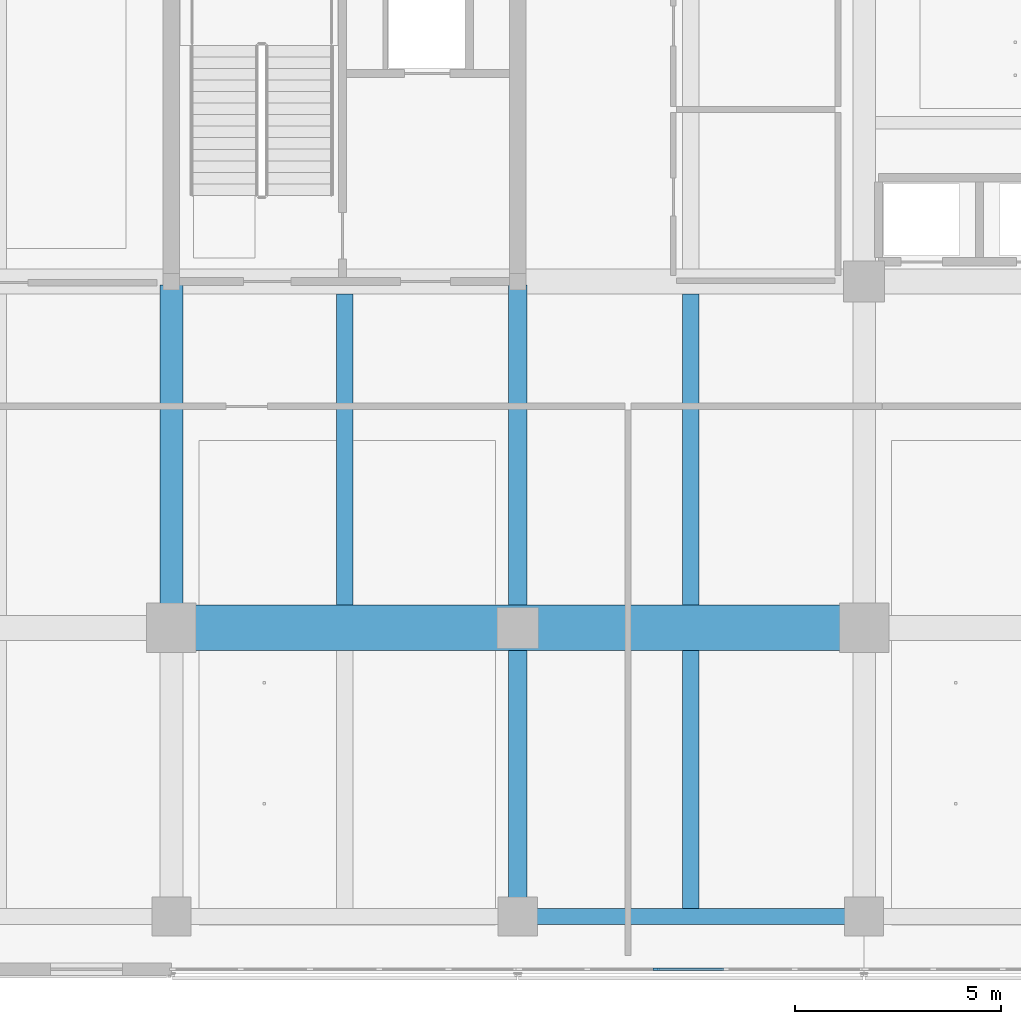
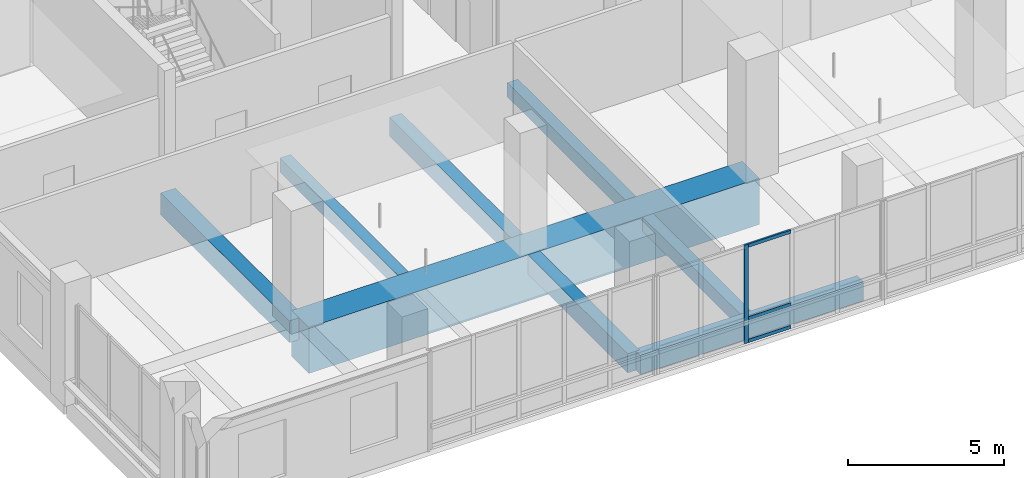
# One storey, part 7 of 122: 8 beams, 4 members, 1 element without a shape of its own.
"""IFC4 building model written with IfcOpenShell, lengths in metres."""

from ifc_helpers import new_model, si_unit, direction, frame, origin, origin_2d, place, context, subcontext, project, spatial, rectangle, extrude, material, layer, layer_set, material_profile, profile_set, type_object, element, aggregate, save


model = new_model("IFC4")

# Units and contexts
model_context = context("Model", 3, precision=1e-05, world=origin(), true_north=direction((0.0, 1.0)))
body_context = subcontext(model_context, "Body", "Model", "MODEL_VIEW")
ifc_project = project(units=[si_unit("LENGTHUNIT", "METRE"), si_unit("AREAUNIT", "SQUARE_METRE"), si_unit("VOLUMEUNIT", "CUBIC_METRE"), si_unit("PLANEANGLEUNIT", "RADIAN"), si_unit("MASSUNIT", "GRAM", prefix="KILO")], contexts=[model_context])

# Site, building, storey
site_placement = place(None, origin())
site = spatial("IfcSite", under=ifc_project, at=site_placement, CompositionType="ELEMENT")
building_placement = place(site_placement, origin())
building = spatial("IfcBuilding", under=site, at=building_placement, Name="Telukmera Botanical Conservatory", CompositionType="ELEMENT")
storey_placement = place(building_placement, frame((0.0, 0.0, 10.199951171875)))
storey = spatial("IfcBuildingStorey", under=building, at=storey_placement, Name="L02", CompositionType="ELEMENT", Elevation=10.199951171875)

# Beams
ifc_material_1 = material(Name="Concrete C40/50", Category="concrete")
ifc_material_profile_1 = material_profile(ifc_material_1, rectangle(XDim=0.39990234375, YDim=0.550048828125, at=origin_2d()), Name="RC 400x550")
ifc_profile_set_1 = profile_set([ifc_material_profile_1], Name="Concrete C40/50")
beam_type_1 = type_object("IfcBeamType", Name="Beam_B19", PredefinedType="JOIST", material=ifc_profile_set_1)
beam_1_placement = place(storey_placement, frame((63.0, 18.14990234375, -0.27490234375), z_axis=(0.0, 1.0, 0.0), x_axis=(-1.0, 0.0, 0.0)))
element("IfcBeam", 1, at=beam_1_placement, inside=storey, type_object=beam_type_1, Name="Tower Secondary Floor Joist L02", PredefinedType="JOIST", context=body_context, shape_type="SweptSolid", body=[
    extrude(rectangle(XDim=0.39990234375, YDim=0.550048828125, at=origin_2d()), origin(), (0.0, 0.0, 1.0), 7.550048828125),
])
beam_2_placement = place(storey_placement, frame((71.39990234375, 10.800048828125, -0.27490234375), z_axis=(0.0, 1.0, 0.0), x_axis=(-1.0, 0.0, 0.0)))
element("IfcBeam", 2, at=beam_2_placement, inside=storey, type_object=beam_type_1, Name="Tower Secondary Floor Joist L02", PredefinedType="JOIST", context=body_context, shape_type="SweptSolid", body=[
    extrude(rectangle(XDim=0.39990234375, YDim=0.550048828125, at=origin_2d()), origin(), (0.0, 0.0, 1.0), 6.25),
])
beam_3_placement = place(storey_placement, frame((71.39990234375, 18.14990234375, -0.27490234375), z_axis=(0.0, 1.0, 0.0), x_axis=(-1.0, 0.0, 0.0)))
element("IfcBeam", 3, at=beam_3_placement, inside=storey, type_object=beam_type_1, Name="Tower Secondary Floor Joist L02", PredefinedType="JOIST", context=body_context, shape_type="SweptSolid", body=[
    extrude(rectangle(XDim=0.39990234375, YDim=0.550048828125, at=origin_2d()), origin(), (0.0, 0.0, 1.0), 7.550048828125),
])
ifc_material_profile_2 = material_profile(ifc_material_1, rectangle(XDim=0.550048828125, YDim=0.85009765625, at=origin_2d()), Name="RC 550x850")
ifc_profile_set_2 = profile_set([ifc_material_profile_2], Name="Concrete C40/50")
beam_type_2 = type_object("IfcBeamType", Name="Beam_B4", PredefinedType="BEAM", material=ifc_profile_set_2)
beam_4_placement = place(storey_placement, frame((58.800048828125, 17.679931640625, -0.425048828125), z_axis=(0.0, 1.0, 0.0), x_axis=(-1.0, 0.0, 0.0)))
element("IfcBeam", 4, at=beam_4_placement, inside=storey, type_object=beam_type_2, Name="Tower Transverse Beam L02", PredefinedType="BEAM", context=body_context, shape_type="SweptSolid", body=[
    extrude(rectangle(XDim=0.550048828125, YDim=0.85009765625, at=origin_2d()), origin(), (0.0, 0.0, 1.0), 8.239990234375),
])
ifc_material_profile_3 = material_profile(ifc_material_1, rectangle(XDim=0.449951171875, YDim=0.75, at=origin_2d()), Name="RC 450x750")
ifc_profile_set_3 = profile_set([ifc_material_profile_3], Name="Concrete C40/50")
beam_type_3 = type_object("IfcBeamType", Name="Beam_B6", PredefinedType="BEAM", material=ifc_profile_set_3)
beam_5_placement = place(storey_placement, frame((67.199951171875, 10.679931640625, -0.375), z_axis=(0.0, 1.0, 0.0), x_axis=(-1.0, 0.0, 0.0)))
element("IfcBeam", 5, at=beam_5_placement, inside=storey, type_object=beam_type_3, Name="Tower Hall Secondary Girder L02", PredefinedType="BEAM", context=body_context, shape_type="SweptSolid", body=[
    extrude(rectangle(XDim=0.449951171875, YDim=0.75, at=origin_2d()), origin(), (0.0, 0.0, 1.0), 6.3701171875),
])
beam_6_placement = place(storey_placement, frame((67.199951171875, 18.14990234375, -0.375), z_axis=(0.0, 1.0, 0.0), x_axis=(-1.0, 0.0, 0.0)))
element("IfcBeam", 6, at=beam_6_placement, inside=storey, type_object=beam_type_3, Name="Tower Hall Secondary Girder L02", PredefinedType="BEAM", context=body_context, shape_type="SweptSolid", body=[
    extrude(rectangle(XDim=0.449951171875, YDim=0.75, at=origin_2d()), origin(), (0.0, 0.0, 1.0), 7.77001953125),
])
ifc_material_2 = material(Name="Precast concrete C40/50", Category="concrete")
ifc_material_profile_4 = material_profile(ifc_material_2, rectangle(XDim=0.39990234375, YDim=0.75, at=origin_2d()), Name="PC 400x750")
ifc_profile_set_4 = profile_set([ifc_material_profile_4], Name="Precast concrete C40/50")
beam_type_4 = type_object("IfcBeamType", Name="Beam_SP1", PredefinedType="SPANDREL", material=ifc_profile_set_4)
beam_7_placement = place(storey_placement, frame((67.280029296875, 10.60009765625, -0.375), z_axis=(1.0, 0.0, 0.0), x_axis=(0.0, 1.0, 0.0)))
element("IfcBeam", 7, at=beam_7_placement, inside=storey, type_object=beam_type_4, Name="Tower Grid Beam L02", PredefinedType="SPANDREL", context=body_context, shape_type="SweptSolid", body=[
    extrude(rectangle(XDim=0.39990234375, YDim=0.75, at=origin_2d()), origin(), (0.0, 0.0, 1.0), 8.239990234375),
])
ifc_material_3 = material(Name="Concrete C50/60", Category="concrete")
ifc_material_profile_5 = material_profile(ifc_material_3, rectangle(XDim=1.10009765625, YDim=1.800048828125, at=origin_2d()), Name="RC 1100x1800")
ifc_profile_set_5 = profile_set([ifc_material_profile_5], Name="Concrete C50/60")
beam_type_5 = type_object("IfcBeamType", Name="Beam_TG1", PredefinedType="BEAM", material=ifc_profile_set_5)
beam_8_placement = place(storey_placement, frame((58.8798828125, 17.60009765625, -0.89990234375), z_axis=(1.0, 0.0, 0.0), x_axis=(0.0, 1.0, 0.0)))
element("IfcBeam", 8, at=beam_8_placement, inside=storey, type_object=beam_type_5, Name="Transfer Girder TG1 (58.8-75.6)", PredefinedType="BEAM", context=body_context, shape_type="SweptSolid", body=[
    extrude(rectangle(XDim=1.10009765625, YDim=1.800048828125, at=origin_2d()), origin(), (0.0, 0.0, 1.0), 16.64013671875),
])

# Curtain wall, members
ifc_material_4 = material(Name="Anodised aluminium 6063-T6", Category="aluminium")
ifc_layer = layer(ifc_material_4, 0.179931640625)
ifc_layer_set = layer_set([ifc_layer], Name="Anodised aluminium 6063-T6")
curtain_wall_type = type_object("IfcCurtainWallType", Name="Tower Reference Library Curtain Wall", PredefinedType="USERDEFINED", material=ifc_layer_set)
curtain_wall_placement = place(storey_placement, origin())
curtain_wall = element("IfcCurtainWall", 9, at=curtain_wall_placement, inside=storey, type_object=curtain_wall_type, Name="Unitised Curtain Wall CW13 V4:L02:S3", ObjectType="UNITISED CURTAIN WALL", PredefinedType="USERDEFINED")
ifc_material_profile_6 = material_profile(ifc_material_4, rectangle(XDim=0.06494140625, YDim=0.159912109375, at=origin_2d()), Name="ALU MULL 65x160")
ifc_profile_set_6 = profile_set([ifc_material_profile_6], Name="Anodised aluminium 6063-T6")
member_type_1 = type_object("IfcMemberType", Name="Curtain Wall Extruded Mullion 65x160", PredefinedType="MULLION", material=ifc_profile_set_6)
member_1_placement = place(storey_placement, frame((70.560302734375, 9.320068359375, 0.0), z_axis=(0.0, 0.0, 1.0), x_axis=(0.0, 1.0, 0.0)))
member_1 = element("IfcMember", 10, at=member_1_placement, type_object=member_type_1, Name="CW13 mullion 3", PredefinedType="MULLION", context=body_context, shape_type="SweptSolid", body=[
    extrude(rectangle(XDim=0.06494140625, YDim=0.159912109375, at=origin_2d()), origin(), (0.0, 0.0, 1.0), 3.85009765625),
])
ifc_material_profile_7 = material_profile(ifc_material_4, rectangle(XDim=0.06494140625, YDim=0.1298828125, at=origin_2d()), Name="ALU TRAN 65x130")
ifc_profile_set_7 = profile_set([ifc_material_profile_7], Name="Anodised aluminium 6063-T6")
member_type_2 = type_object("IfcMemberType", Name="Curtain Wall Extruded Transom 65x130", PredefinedType="USERDEFINED", material=ifc_profile_set_7)
member_2_placement = place(storey_placement, frame((70.593017578125, 9.320068359375, 0.06494140625), z_axis=(1.0, 0.0, 0.0), x_axis=(0.0, 1.0, 0.0)))
member_2 = element("IfcMember", 11, at=member_2_placement, type_object=member_type_2, Name="CW13 transom 3.1", ObjectType="TRANSOM", PredefinedType="USERDEFINED", context=body_context, shape_type="SweptSolid", body=[
    extrude(rectangle(XDim=0.06494140625, YDim=0.1298828125, at=origin_2d()), origin(), (0.0, 0.0, 1.0), 1.614013671875),
])
member_3_placement = place(storey_placement, frame((70.593017578125, 9.320068359375, 0.949951171875), z_axis=(1.0, 0.0, 0.0), x_axis=(0.0, 1.0, 0.0)))
member_3 = element("IfcMember", 12, at=member_3_placement, type_object=member_type_2, Name="CW13 transom 3.2", ObjectType="TRANSOM", PredefinedType="USERDEFINED", context=body_context, shape_type="SweptSolid", body=[
    extrude(rectangle(XDim=0.06494140625, YDim=0.1298828125, at=origin_2d()), origin(), (0.0, 0.0, 1.0), 1.614013671875),
])
member_4_placement = place(storey_placement, frame((70.593017578125, 9.320068359375, 3.78515625), z_axis=(1.0, 0.0, 0.0), x_axis=(0.0, 1.0, 0.0)))
member_4 = element("IfcMember", 13, at=member_4_placement, type_object=member_type_2, Name="CW13 transom 3.3", ObjectType="TRANSOM", PredefinedType="USERDEFINED", context=body_context, shape_type="SweptSolid", body=[
    extrude(rectangle(XDim=0.06494140625, YDim=0.1298828125, at=origin_2d()), origin(), (0.0, 0.0, 1.0), 1.614013671875),
])
aggregate(curtain_wall, [member_1, member_2, member_3, member_4])

save(model, "model.ifc")
